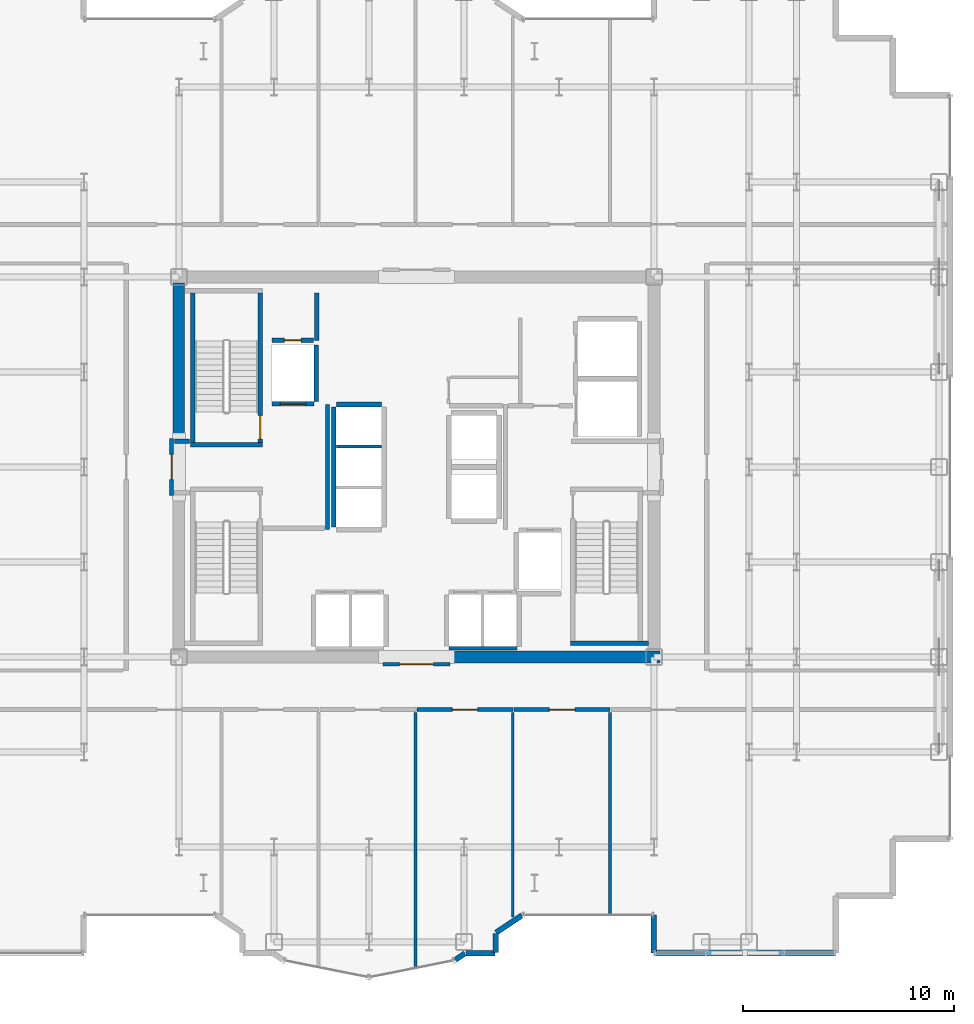
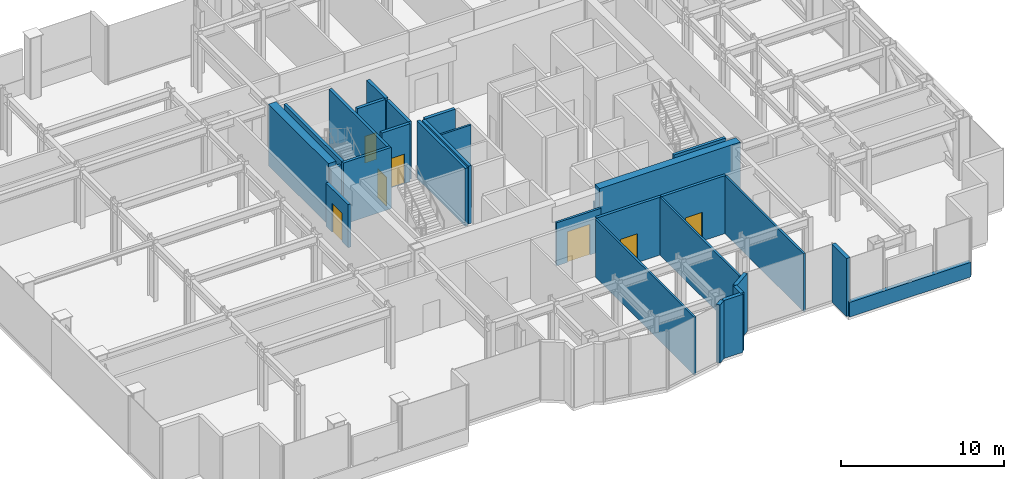
# One storey, part 20 of 26: 29 walls, 7 doors, 7 openings.
"""IFC4 building model written with IfcOpenShell, lengths in metres."""

from ifc_helpers import new_model, si_unit, direction, frame, frame_2d, origin, place, context, subcontext, project, spatial, rectangle, extrude, source, transform, mapped, material, layer, layer_set, type_object, element, fill, save


model = new_model("IFC4")

# Units and contexts
model_context = context("Model", 3, precision=1e-05, world=origin(), true_north=direction((0.0, 1.0)))
body_context = subcontext(model_context, "Body", "Model", "MODEL_VIEW")
ifc_project = project(units=[si_unit("LENGTHUNIT", "METRE"), si_unit("AREAUNIT", "SQUARE_METRE"), si_unit("VOLUMEUNIT", "CUBIC_METRE"), si_unit("PLANEANGLEUNIT", "RADIAN"), si_unit("MASSUNIT", "GRAM", prefix="KILO")], contexts=[model_context])

# Site, building, storey
site_placement = place(None, origin())
site = spatial("IfcSite", under=ifc_project, at=site_placement, CompositionType="ELEMENT")
building_placement = place(site_placement, origin())
building = spatial("IfcBuilding", under=site, at=building_placement, Name="Nefas-Gora Pilgrimage Tower", CompositionType="ELEMENT")
storey_placement = place(building_placement, frame((0.0, 0.0, 202.0)))
storey = spatial("IfcBuildingStorey", under=building, at=storey_placement, Name="L50", CompositionType="ELEMENT", Elevation=202.0)

# Walls
ifc_material_1 = material(Name="Concrete C60/75", Category="concrete")
ifc_layer_1 = layer(ifc_material_1, 0.550048828125)
ifc_layer_set_1 = layer_set([ifc_layer_1], Name="Concrete C60/75")
wall_type_1 = type_object("IfcWallType", Name="SW-CORE-550", PredefinedType="SHEAR", material=ifc_layer_set_1)
shared_shape_1 = source(origin(), body_context, "Body", "SweptSolid", [
    extrude(rectangle(XDim=9.974853515625, YDim=0.550048828125, at=frame_2d((4.9873046875, 0.0))), origin(), (0.0, 0.0, 1.0), 4.60009765625),
])
wall_1_placement = place(storey_placement, frame((1.550048828125, -9.0, 0.0), z_axis=(0.0, 0.0, 1.0), x_axis=(1.0, 0.0, 0.0)))
element("IfcWall", 1, at=wall_1_placement, inside=storey, type_object=wall_type_1, Name="L50 Core Shear Wall S-East", PredefinedType="SHEAR", context=body_context, shape_type="MappedRepresentation", body=[
    mapped(shared_shape_1, transform((0.0, 0.0, 0.0), x_axis=(1.0, 0.0, 0.0), y_axis=(0.0, 1.0, 0.0), z_axis=(0.0, 0.0, 1.0), scale=1.0)),
])
shared_shape_2 = source(origin(), body_context, "Body", "SweptSolid", [
    extrude(rectangle(XDim=7.375, YDim=0.550048828125, at=frame_2d((3.6875, 0.0))), origin(), (0.0, 0.0, 1.0), 4.60009765625),
])
wall_2_placement = place(storey_placement, frame((-11.25, 1.35009765625, 0.0), z_axis=(0.0, 0.0, 1.0), x_axis=(0.0, 1.0, 0.0)))
element("IfcWall", 2, at=wall_2_placement, inside=storey, type_object=wall_type_1, Name="L50 Core Shear Wall W-North", PredefinedType="SHEAR", context=body_context, shape_type="MappedRepresentation", body=[
    mapped(shared_shape_2, transform((0.0, 0.0, 0.0), x_axis=(1.0, 0.0, 0.0), y_axis=(0.0, 1.0, 0.0), z_axis=(0.0, 0.0, 1.0), scale=1.0)),
])
ifc_material_2 = material(Name="Precast concrete C40/50", Category="concrete")
ifc_layer_2 = layer(ifc_material_2, 0.260009765625)
ifc_layer_set_2 = layer_set([ifc_layer_2], Name="Precast concrete C40/50")
wall_type_2 = type_object("IfcWallType", Name="EW-PORTAL-260", PredefinedType="SOLIDWALL", material=ifc_layer_set_2)
shared_shape_3 = source(origin(), body_context, "Body", "SweptSolid", [
    extrude(rectangle(XDim=1.800048828125, YDim=0.260009765625, at=frame_2d((0.89990234375, 0.0))), origin(), (0.0, 0.0, 1.0), 4.35009765625),
])
wall_3_placement = place(storey_placement, frame((11.25, -21.219970703125, 0.0), z_axis=(0.0, 0.0, 1.0), x_axis=(0.0, -1.0, 0.0)))
element("IfcWall", 3, at=wall_3_placement, inside=storey, type_object=wall_type_2, Name="L50 Lobe Shoulder Precast Spandrel Pier 5", PredefinedType="SOLIDWALL", context=body_context, shape_type="MappedRepresentation", body=[
    mapped(shared_shape_3, transform((0.0, 0.0, 0.0), x_axis=(1.0, 0.0, 0.0), y_axis=(0.0, 1.0, 0.0), z_axis=(0.0, 0.0, 1.0), scale=1.0)),
])
shared_shape_4 = source(origin(), body_context, "Body", "SweptSolid", [
    extrude(rectangle(XDim=1.468994140625, YDim=0.260009765625, at=frame_2d((0.734375, 0.0))), origin(), (0.0, 0.0, 1.0), 4.35009765625),
])
wall_4_placement = place(storey_placement, frame((3.773193359375, -22.0517578125, 0.0), z_axis=(0.0, 0.0, 1.0), x_axis=(0.831461760506, 0.555581983884, 0.0)))
element("IfcWall", 4, at=wall_4_placement, inside=storey, type_object=wall_type_2, Name="L50 Lobe Shoulder Precast Spandrel Pier 44", PredefinedType="SOLIDWALL", context=body_context, shape_type="MappedRepresentation", body=[
    mapped(shared_shape_4, transform((0.0, 0.0, 0.0), x_axis=(1.0, 0.0, 0.0), y_axis=(0.0, 1.0, 0.0), z_axis=(0.0, 0.0, 1.0), scale=1.0)),
])
shared_shape_5 = source(origin(), body_context, "Body", "SweptSolid", [
    extrude(rectangle(XDim=0.896728515625, YDim=0.260009765625, at=frame_2d((0.4482421875, 0.0))), origin(), (0.0, 0.0, 1.0), 4.35009765625),
])
wall_5_placement = place(storey_placement, frame((3.75, -22.991943359375, 0.0), z_axis=(0.0, 0.0, 1.0), x_axis=(0.0, 1.0, 0.0)))
element("IfcWall", 5, at=wall_5_placement, inside=storey, type_object=wall_type_2, Name="L50 Lobe Shoulder Precast Spandrel Pier 43", PredefinedType="SOLIDWALL", context=body_context, shape_type="MappedRepresentation", body=[
    mapped(shared_shape_5, transform((0.0, 0.0, 0.0), x_axis=(1.0, 0.0, 0.0), y_axis=(0.0, 1.0, 0.0), z_axis=(0.0, 0.0, 1.0), scale=1.0)),
])
shared_shape_6 = source(origin(), body_context, "Body", "SweptSolid", [
    extrude(rectangle(XDim=1.369873046875, YDim=0.260009765625, at=frame_2d((0.68505859375, 0.0))), origin(), (0.0, 0.0, 1.0), 4.35009765625),
])
wall_6_placement = place(storey_placement, frame((2.35205078125, -23.02001953125, 0.0), z_axis=(0.0, 0.0, 1.0), x_axis=(1.0, 0.0, 0.0)))
element("IfcWall", 6, at=wall_6_placement, inside=storey, type_object=wall_type_2, Name="L50 Lobe Shoulder Precast Spandrel Pier 42", PredefinedType="SOLIDWALL", context=body_context, shape_type="MappedRepresentation", body=[
    mapped(shared_shape_6, transform((0.0, 0.0, 0.0), x_axis=(1.0, 0.0, 0.0), y_axis=(0.0, 1.0, 0.0), z_axis=(0.0, 0.0, 1.0), scale=1.0)),
])
shared_shape_7 = source(origin(), body_context, "Body", "SweptSolid", [
    extrude(rectangle(XDim=0.5654296875, YDim=0.260009765625, at=frame_2d((0.28271484375, 0.0))), origin(), (0.0, 0.0, 1.0), 4.35009765625),
])
wall_7_placement = place(storey_placement, frame((1.83056640625, -23.349609375, 0.0), z_axis=(0.0, 0.0, 1.0), x_axis=(0.831651492666, 0.555297933317, 0.0)))
element("IfcWall", 7, at=wall_7_placement, inside=storey, type_object=wall_type_2, Name="L50 Lobe Shoulder Precast Spandrel Pier 41", PredefinedType="SOLIDWALL", context=body_context, shape_type="MappedRepresentation", body=[
    mapped(shared_shape_7, transform((0.0, 0.0, 0.0), x_axis=(1.0, 0.0, 0.0), y_axis=(0.0, 1.0, 0.0), z_axis=(0.0, 0.0, 1.0), scale=1.0)),
])
ifc_material_3 = material(Name="Precast concrete C45/55", Category="concrete")
ifc_layer_3 = layer(ifc_material_3, 0.280029296875)
ifc_layer_set_3 = layer_set([ifc_layer_3], Name="Precast concrete C45/55")
wall_type_3 = type_object("IfcWallType", Name="EW-PLANT-280", PredefinedType="SOLIDWALL", material=ifc_layer_set_3)
shared_shape_8 = source(origin(), body_context, "Body", "SweptSolid", [
    extrude(rectangle(XDim=8.6201171875, YDim=0.280029296875, at=frame_2d((4.31005859375, 0.0))), origin(), (0.0, 0.0, 1.0), 1.10009765625),
])
wall_8_placement = place(storey_placement, frame((11.25, -23.02001953125, 0.0), z_axis=(0.0, 0.0, 1.0), x_axis=(1.0, 0.0, 0.0)))
element("IfcWall", 8, at=wall_8_placement, inside=storey, type_object=wall_type_3, Name="L50 Plant Upstand Spandrel Wall 6", PredefinedType="SOLIDWALL", context=body_context, shape_type="MappedRepresentation", body=[
    mapped(shared_shape_8, transform((0.0, 0.0, 0.0), x_axis=(1.0, 0.0, 0.0), y_axis=(0.0, 1.0, 0.0), z_axis=(0.0, 0.0, 1.0), scale=1.0)),
])
ifc_material_4 = material(Name="Concrete C45/55", Category="concrete")
ifc_layer_4 = layer(ifc_material_4, 0.199951171875)
ifc_layer_set_4 = layer_set([ifc_layer_4], Name="Concrete C45/55")
wall_type_4 = type_object("IfcWallType", Name="IW-STAIR-200", PredefinedType="SOLIDWALL", material=ifc_layer_set_4)
shared_shape_9 = source(origin(), body_context, "Body", "SweptSolid", [
    extrude(rectangle(XDim=3.39990234375, YDim=0.199951171875, at=frame_2d((1.699951171875, 0.0))), origin(), (0.0, 0.0, 1.0), 4.60009765625),
])
wall_9_placement = place(storey_placement, frame((-7.300048828125, 1.050048828125, 0.0), z_axis=(0.0, 0.0, 1.0), x_axis=(-1.0, 0.0, 0.0)))
element("IfcWall", 9, at=wall_9_placement, inside=storey, type_object=wall_type_4, Name="L50 Stairwell Shear Wall ST-01-near", PredefinedType="SOLIDWALL", context=body_context, shape_type="MappedRepresentation", body=[
    mapped(shared_shape_9, transform((0.0, 0.0, 0.0), x_axis=(1.0, 0.0, 0.0), y_axis=(0.0, 1.0, 0.0), z_axis=(0.0, 0.0, 1.0), scale=1.0)),
])

# Wall, opening, door
shared_shape_10 = source(origin(), body_context, "Body", "SweptSolid", [
    extrude(rectangle(XDim=7.10009765625, YDim=0.199951171875, at=frame_2d((3.550048828125, 0.0))), origin(), (0.0, 0.0, 1.0), 4.60009765625),
])
wall_10_placement = place(storey_placement, frame((-7.39990234375, 1.14990234375, 0.0), z_axis=(0.0, 0.0, 1.0), x_axis=(0.0, 1.0, 0.0)))
wall_10 = element("IfcWall", 10, at=wall_10_placement, inside=storey, type_object=wall_type_4, Name="L50 Stairwell Shear Wall ST-01-left", PredefinedType="SOLIDWALL", context=body_context, shape_type="MappedRepresentation", body=[
    mapped(shared_shape_10, transform((0.0, 0.0, 0.0), x_axis=(1.0, 0.0, 0.0), y_axis=(0.0, 1.0, 0.0), z_axis=(0.0, 0.0, 1.0), scale=1.0)),
])
opening_1_placement = place(wall_10_placement, frame((0.179931640625, 0.0, 0.0)))
opening_1 = element("IfcOpeningElement", 11, at=opening_1_placement, cuts=wall_10, Name="Opening ID-ST1", PredefinedType="OPENING", context=body_context, shape_type="SweptSolid", body=[
    extrude(rectangle(XDim=1.10009765625, YDim=2.14990234375, at=frame_2d((0.550048828125, 1.074951171875))), frame((0.0, 0.10986328125, 0.0), z_axis=(0.0, -1.0, 0.0), x_axis=(1.0, 0.0, 0.0)), (0.0, 0.0, 1.0), 0.219970703125),
])
ifc_material_5 = material(Name="Painted galvanised steel fire stair door", Category="steel")
door_type_1 = type_object("IfcDoorType", Name="DR-INT-STAIR-1100", OperationType="NOTDEFINED", PredefinedType="DOOR", material=ifc_material_5)
shared_shape_11 = source(origin(), body_context, "Body", "SweptSolid", [
    extrude(rectangle(XDim=1.10009765625, YDim=2.14990234375, at=frame_2d((0.550048828125, 1.074951171875))), frame((0.0, 0.02490234375, 0.0), z_axis=(0.0, -1.0, 0.0), x_axis=(1.0, 0.0, 0.0)), (0.0, 0.0, 1.0), 0.050048828125),
])
door_1_placement = place(opening_1_placement, origin())
door_1 = element("IfcDoor", 12, at=door_1_placement, inside=storey, type_object=door_type_1, Name="L50 Protected Exit Stair Door ST-01", OperationType="SINGLE_SWING_RIGHT", OverallHeight=2.14990234375, OverallWidth=1.10009765625, PredefinedType="DOOR", context=body_context, shape_type="MappedRepresentation", body=[
    mapped(shared_shape_11, transform((0.0, 0.0, 0.0), x_axis=(1.0, 0.0, 0.0), y_axis=(0.0, 1.0, 0.0), z_axis=(0.0, 0.0, 1.0), scale=1.0)),
])
fill(opening_1, door_1)

# Walls
wall_11_placement = place(storey_placement, frame((-10.60009765625, 1.14990234375, 0.0), z_axis=(0.0, 0.0, 1.0), x_axis=(0.0, 1.0, 0.0)))
element("IfcWall", 13, at=wall_11_placement, inside=storey, type_object=wall_type_4, Name="L50 Stairwell Shear Wall ST-01-right", PredefinedType="SOLIDWALL", context=body_context, shape_type="MappedRepresentation", body=[
    mapped(shared_shape_10, transform((0.0, 0.0, 0.0), x_axis=(1.0, 0.0, 0.0), y_axis=(0.0, 1.0, 0.0), z_axis=(0.0, 0.0, 1.0), scale=1.0)),
])
shared_shape_12 = source(origin(), body_context, "Body", "SweptSolid", [
    extrude(rectangle(XDim=3.679931640625, YDim=0.199951171875, at=frame_2d((1.83984375, 0.0))), origin(), (0.0, 0.0, 1.0), 4.60009765625),
])
wall_12_placement = place(storey_placement, frame((7.300048828125, -8.35009765625, 0.0), z_axis=(0.0, 0.0, 1.0), x_axis=(1.0, 0.0, 0.0)))
element("IfcWall", 14, at=wall_12_placement, inside=storey, type_object=wall_type_4, Name="L50 Stairwell Shear Wall ST-02-far", PredefinedType="SOLIDWALL", context=body_context, shape_type="MappedRepresentation", body=[
    mapped(shared_shape_12, transform((0.0, 0.0, 0.0), x_axis=(1.0, 0.0, 0.0), y_axis=(0.0, 1.0, 0.0), z_axis=(0.0, 0.0, 1.0), scale=1.0)),
])

# Wall, opening, door
ifc_material_6 = material(Name="Concrete C40/50", Category="concrete")
ifc_layer_5 = layer(ifc_material_6, 0.219970703125)
ifc_layer_set_5 = layer_set([ifc_layer_5], Name="Concrete C40/50")
wall_type_5 = type_object("IfcWallType", Name="IW-SHAFT-220", PredefinedType="SOLIDWALL", material=ifc_layer_set_5)
shared_shape_13 = source(origin(), body_context, "Body", "SweptSolid", [
    extrude(rectangle(XDim=2.0, YDim=0.219970703125, at=frame_2d((1.0, 0.0))), origin(), (0.0, 0.0, 1.0), 4.3349609375),
])
wall_13_placement = place(storey_placement, frame((-6.85009765625, 2.989990234375, 0.0), z_axis=(0.0, 0.0, 1.0), x_axis=(1.0, 0.0, 0.0)))
wall_13 = element("IfcWall", 15, at=wall_13_placement, inside=storey, type_object=wall_type_5, Name="L50 Hoistway Wall FFL-01-S", PredefinedType="SOLIDWALL", context=body_context, shape_type="MappedRepresentation", body=[
    mapped(shared_shape_13, transform((0.0, 0.0, 0.0), x_axis=(1.0, 0.0, 0.0), y_axis=(0.0, 1.0, 0.0), z_axis=(0.0, 0.0, 1.0), scale=1.0)),
])
opening_2_placement = place(wall_13_placement, frame((0.39990234375, 0.0, 0.0)))
opening_2 = element("IfcOpeningElement", 16, at=opening_2_placement, cuts=wall_13, Name="Opening LD-FF", PredefinedType="OPENING", context=body_context, shape_type="SweptSolid", body=[
    extrude(rectangle(XDim=1.199951171875, YDim=2.199951171875, at=frame_2d((0.60009765625, 1.10009765625))), frame((0.0, 0.119873046875, 0.0), z_axis=(0.0, -1.0, 0.0), x_axis=(1.0, 0.0, 0.0)), (0.0, 0.0, 1.0), 0.239990234375),
])
ifc_material_7 = material(Name="Fire-service sliding lift landing door")
door_type_2 = type_object("IfcDoorType", Name="DR-LIFT-FSAE-1200", OperationType="SLIDING_TO_LEFT", PredefinedType="DOOR", material=ifc_material_7)
shared_shape_14 = source(origin(), body_context, "Body", "SweptSolid", [
    extrude(rectangle(XDim=1.199951171875, YDim=2.199951171875, at=frame_2d((0.60009765625, 1.10009765625))), frame((0.0, 0.02490234375, 0.0), z_axis=(0.0, -1.0, 0.0), x_axis=(1.0, 0.0, 0.0)), (0.0, 0.0, 1.0), 0.050048828125),
])
door_2_placement = place(opening_2_placement, origin())
door_2 = element("IfcDoor", 17, at=door_2_placement, inside=storey, type_object=door_type_2, Name="L50 Sliding Lift Landing Door FFL-01", OperationType="SLIDING_TO_LEFT", OverallHeight=2.199951171875, OverallWidth=1.199951171875, PredefinedType="DOOR", context=body_context, shape_type="MappedRepresentation", body=[
    mapped(shared_shape_14, transform((0.0, 0.0, 0.0), x_axis=(1.0, 0.0, 0.0), y_axis=(0.0, 1.0, 0.0), z_axis=(0.0, 0.0, 1.0), scale=1.0)),
])
fill(opening_2, door_2)

# Walls
shared_shape_15 = source(origin(), body_context, "Body", "SweptSolid", [
    extrude(rectangle(XDim=2.679931640625, YDim=0.219970703125, at=frame_2d((1.33984375, 0.0))), origin(), (0.0, 0.0, 1.0), 4.3349609375),
])
wall_14_placement = place(storey_placement, frame((-4.739990234375, 3.110107421875, 0.0), z_axis=(0.0, 0.0, 1.0), x_axis=(0.0, 1.0, 0.0)))
element("IfcWall", 18, at=wall_14_placement, inside=storey, type_object=wall_type_5, Name="L50 Hoistway Wall FFL-01-E", PredefinedType="SOLIDWALL", context=body_context, shape_type="MappedRepresentation", body=[
    mapped(shared_shape_15, transform((0.0, 0.0, 0.0), x_axis=(1.0, 0.0, 0.0), y_axis=(0.0, 1.0, 0.0), z_axis=(0.0, 0.0, 1.0), scale=1.0)),
])
ifc_material_8 = material(Name="Gypsum acoustic stud partition")
ifc_layer_6 = layer(ifc_material_8, 0.159912109375)
ifc_layer_set_6 = layer_set([ifc_layer_6], Name="Gypsum acoustic stud partition")
wall_type_6 = type_object("IfcWallType", Name="IW-CORR-160", PredefinedType="PARTITIONING", material=ifc_layer_set_6)
shared_shape_16 = source(origin(), body_context, "Body", "SweptSolid", [
    extrude(rectangle(XDim=3.199951171875, YDim=0.159912109375, at=frame_2d((1.60009765625, 0.0))), origin(), (0.0, 0.0, 1.0), 3.22509765625),
])
wall_15_placement = place(storey_placement, frame((1.550048828125, -8.580078125, 0.0), z_axis=(0.0, 0.0, 1.0), x_axis=(1.0, 0.0, 0.0)))
element("IfcWall", 19, at=wall_15_placement, inside=storey, type_object=wall_type_6, Name="L50 Hoistway Wall PL2-E-S", PredefinedType="PARTITIONING", context=body_context, shape_type="MappedRepresentation", body=[
    mapped(shared_shape_16, transform((0.0, 0.0, 0.0), x_axis=(1.0, 0.0, 0.0), y_axis=(0.0, 1.0, 0.0), z_axis=(0.0, 0.0, 1.0), scale=1.0)),
])
shared_shape_17 = source(origin(), body_context, "Body", "SweptSolid", [
    extrude(rectangle(XDim=5.7001953125, YDim=0.219970703125, at=frame_2d((2.85009765625, 0.0))), origin(), (0.0, 0.0, 1.0), 4.3349609375),
])
wall_16_placement = place(storey_placement, frame((-3.909912109375, 2.85009765625, 0.0), z_axis=(0.0, 0.0, 1.0), x_axis=(0.0, -1.0, 0.0)))
element("IfcWall", 20, at=wall_16_placement, inside=storey, type_object=wall_type_5, Name="L50 Hoistway Wall PL3-01-03-W", PredefinedType="SOLIDWALL", context=body_context, shape_type="MappedRepresentation", body=[
    mapped(shared_shape_17, transform((0.0, 0.0, 0.0), x_axis=(1.0, 0.0, 0.0), y_axis=(0.0, 1.0, 0.0), z_axis=(0.0, 0.0, 1.0), scale=1.0)),
])
shared_shape_18 = source(origin(), body_context, "Body", "SweptSolid", [
    extrude(rectangle(XDim=2.130126953125, YDim=0.219970703125, at=frame_2d((1.06494140625, 0.0))), origin(), (0.0, 0.0, 1.0), 4.3349609375),
])
wall_17_placement = place(storey_placement, frame((-1.659912109375, 2.9599609375, 0.0), z_axis=(0.0, 0.0, 1.0), x_axis=(-1.0, 0.0, 0.0)))
element("IfcWall", 21, at=wall_17_placement, inside=storey, type_object=wall_type_5, Name="L50 Hoistway Wall PL3-03-N", PredefinedType="SOLIDWALL", context=body_context, shape_type="MappedRepresentation", body=[
    mapped(shared_shape_18, transform((0.0, 0.0, 0.0), x_axis=(1.0, 0.0, 0.0), y_axis=(0.0, 1.0, 0.0), z_axis=(0.0, 0.0, 1.0), scale=1.0)),
])
ifc_material_9 = material(Name="Gypsum twin-stud partition")
ifc_layer_7 = layer(ifc_material_9, 0.139892578125)
ifc_layer_set_7 = layer_set([ifc_layer_7], Name="Gypsum twin-stud partition")
wall_type_7 = type_object("IfcWallType", Name="IW-UNIT-140", PredefinedType="PARTITIONING", material=ifc_layer_set_7)
shared_shape_19 = source(origin(), body_context, "Body", "SweptSolid", [
    extrude(rectangle(XDim=2.130126953125, YDim=0.139892578125, at=frame_2d((1.06494140625, 0.0))), origin(), (0.0, 0.0, 1.0), 4.3349609375),
])
wall_18_placement = place(storey_placement, frame((-3.7900390625, 0.97509765625, 0.0), z_axis=(0.0, 0.0, 1.0), x_axis=(1.0, 0.0, 0.0)))
element("IfcWall", 22, at=wall_18_placement, inside=storey, type_object=wall_type_7, Name="L50 Hoistway Wall PL3-02-03-DIV", PredefinedType="PARTITIONING", context=body_context, shape_type="MappedRepresentation", body=[
    mapped(shared_shape_19, transform((0.0, 0.0, 0.0), x_axis=(1.0, 0.0, 0.0), y_axis=(0.0, 1.0, 0.0), z_axis=(0.0, 0.0, 1.0), scale=1.0)),
])

# Wall, opening, door
ifc_material_10 = material(Name="Gypsum fire-rated shaftwall")
ifc_layer_8 = layer(ifc_material_10, 0.199951171875)
ifc_layer_set_8 = layer_set([ifc_layer_8], Name="Gypsum fire-rated shaftwall")
wall_type_8 = type_object("IfcWallType", Name="IW-FFLOB-200", PredefinedType="PARTITIONING", material=ifc_layer_set_8)
shared_shape_20 = source(origin(), body_context, "Body", "SweptSolid", [
    extrude(rectangle(XDim=2.7001953125, YDim=0.199951171875, at=frame_2d((1.35009765625, 0.0))), origin(), (0.0, 0.0, 1.0), 3.22509765625),
])
wall_19_placement = place(storey_placement, frame((-11.60009765625, -1.35009765625, 0.0), z_axis=(0.0, 0.0, 1.0), x_axis=(0.0, 1.0, 0.0)))
wall_19 = element("IfcWall", 23, at=wall_19_placement, inside=storey, type_object=wall_type_8, Name="L50 FF Lobby West Portal Wall 4", PredefinedType="PARTITIONING", context=body_context, shape_type="MappedRepresentation", body=[
    mapped(shared_shape_20, transform((0.0, 0.0, 0.0), x_axis=(1.0, 0.0, 0.0), y_axis=(0.0, 1.0, 0.0), z_axis=(0.0, 0.0, 1.0), scale=1.0)),
])
opening_3_placement = place(wall_19_placement, frame((0.75, 0.0, 0.0)))
opening_3 = element("IfcOpeningElement", 24, at=opening_3_placement, cuts=wall_19, Name="Opening ID-FF1", PredefinedType="OPENING", context=body_context, shape_type="SweptSolid", body=[
    extrude(rectangle(XDim=1.199951171875, YDim=2.14990234375, at=frame_2d((0.60009765625, 1.074951171875))), frame((0.0, 0.10986328125, 0.0), z_axis=(0.0, -1.0, 0.0), x_axis=(1.0, 0.0, 0.0)), (0.0, 0.0, 1.0), 0.219970703125),
])
ifc_material_11 = material(Name="Smoke-sealed steel firefighting lobby door", Category="steel")
door_type_3 = type_object("IfcDoorType", Name="DR-INT-FFLOB-1200", OperationType="NOTDEFINED", PredefinedType="DOOR", material=ifc_material_11)
shared_shape_21 = source(origin(), body_context, "Body", "SweptSolid", [
    extrude(rectangle(XDim=1.199951171875, YDim=2.14990234375, at=frame_2d((0.60009765625, 1.074951171875))), frame((0.0, 0.02490234375, 0.0), z_axis=(0.0, -1.0, 0.0), x_axis=(1.0, 0.0, 0.0)), (0.0, 0.0, 1.0), 0.050048828125),
])
door_3_placement = place(opening_3_placement, origin())
door_3 = element("IfcDoor", 25, at=door_3_placement, inside=storey, type_object=door_type_3, Name="L50 FF Lobby West Portal Door 2", OperationType="SINGLE_SWING_LEFT", OverallHeight=2.14990234375, OverallWidth=1.199951171875, PredefinedType="DOOR", context=body_context, shape_type="MappedRepresentation", body=[
    mapped(shared_shape_21, transform((0.0, 0.0, 0.0), x_axis=(1.0, 0.0, 0.0), y_axis=(0.0, 1.0, 0.0), z_axis=(0.0, 0.0, 1.0), scale=1.0)),
])
fill(opening_3, door_3)

# Walls
shared_shape_22 = source(origin(), body_context, "Body", "SweptSolid", [
    extrude(rectangle(XDim=5.89990234375, YDim=0.199951171875, at=frame_2d((2.949951171875, 0.0))), origin(), (0.0, 0.0, 1.0), 4.3349609375),
])
wall_20_placement = place(storey_placement, frame((-4.219970703125, -2.949951171875, 0.0), z_axis=(0.0, 0.0, 1.0), x_axis=(0.0, 1.0, 0.0)))
element("IfcWall", 26, at=wall_20_placement, inside=storey, type_object=wall_type_8, Name="L50 FF Lobby West Inner Wall Wall 5", PredefinedType="PARTITIONING", context=body_context, shape_type="MappedRepresentation", body=[
    mapped(shared_shape_22, transform((0.0, 0.0, 0.0), x_axis=(1.0, 0.0, 0.0), y_axis=(0.0, 1.0, 0.0), z_axis=(0.0, 0.0, 1.0), scale=1.0)),
])
shared_shape_23 = source(origin(), body_context, "Body", "SweptSolid", [
    extrude(rectangle(XDim=0.719970703125, YDim=0.199951171875, at=frame_2d((0.35986328125, 0.0))), origin(), (0.0, 0.0, 1.0), 4.3349609375),
])
wall_21_placement = place(storey_placement, frame((-11.4599609375, 1.219970703125, 0.0), z_axis=(0.0, 0.0, 1.0), x_axis=(1.0, 0.0, 0.0)))
element("IfcWall", 27, at=wall_21_placement, inside=storey, type_object=wall_type_8, Name="L50 FF Lobby West Throat N Wall 7", PredefinedType="PARTITIONING", context=body_context, shape_type="MappedRepresentation", body=[
    mapped(shared_shape_23, transform((0.0, 0.0, 0.0), x_axis=(1.0, 0.0, 0.0), y_axis=(0.0, 1.0, 0.0), z_axis=(0.0, 0.0, 1.0), scale=1.0)),
])

# Wall, opening, door
ifc_layer_9 = layer(ifc_material_6, 0.199951171875)
ifc_layer_set_9 = layer_set([ifc_layer_9], Name="Concrete C40/50")
wall_type_9 = type_object("IfcWallType", Name="IW-PLANT-200", PredefinedType="SOLIDWALL", material=ifc_layer_set_9)
shared_shape_24 = source(origin(), body_context, "Body", "SweptSolid", [
    extrude(rectangle(XDim=4.5400390625, YDim=0.199951171875, at=frame_2d((2.27001953125, 0.0))), origin(), (0.0, 0.0, 1.0), 4.3349609375),
])
wall_22_placement = place(storey_placement, frame((0.030029296875, -11.489990234375, 0.0), z_axis=(0.0, 0.0, 1.0), x_axis=(1.0, 0.0, 0.0)))
wall_22 = element("IfcWall", 28, at=wall_22_placement, inside=storey, type_object=wall_type_9, Name="L50 Domestic and Fire Reserve Water Tank Plant Room Partition Wall 43", PredefinedType="SOLIDWALL", context=body_context, shape_type="MappedRepresentation", body=[
    mapped(shared_shape_24, transform((0.0, 0.0, 0.0), x_axis=(1.0, 0.0, 0.0), y_axis=(0.0, 1.0, 0.0), z_axis=(0.0, 0.0, 1.0), scale=1.0)),
])
opening_4_placement = place(wall_22_placement, frame((1.669921875, 0.0, 0.0)))
opening_4 = element("IfcOpeningElement", 29, at=opening_4_placement, cuts=wall_22, Name="Opening ID-PL1", PredefinedType="OPENING", context=body_context, shape_type="SweptSolid", body=[
    extrude(rectangle(XDim=1.199951171875, YDim=2.14990234375, at=frame_2d((0.60009765625, 1.074951171875))), frame((0.0, 0.10986328125, 0.0), z_axis=(0.0, -1.0, 0.0), x_axis=(1.0, 0.0, 0.0)), (0.0, 0.0, 1.0), 0.219970703125),
])
ifc_material_12 = material(Name="Heavy-duty steel plant room fire door", Category="steel")
door_type_4 = type_object("IfcDoorType", Name="DR-INT-PLANT-1200", OperationType="NOTDEFINED", PredefinedType="DOOR", material=ifc_material_12)
door_4_placement = place(opening_4_placement, origin())
door_4 = element("IfcDoor", 30, at=door_4_placement, inside=storey, type_object=door_type_4, Name="L50 Domestic and Fire Reserve Water Tank Plant Room Door 19", OperationType="SINGLE_SWING_RIGHT", OverallHeight=2.14990234375, OverallWidth=1.199951171875, PredefinedType="DOOR", context=body_context, shape_type="MappedRepresentation", body=[
    mapped(shared_shape_21, transform((0.0, 0.0, 0.0), x_axis=(1.0, 0.0, 0.0), y_axis=(0.0, 1.0, 0.0), z_axis=(0.0, 0.0, 1.0), scale=1.0)),
])
fill(opening_4, door_4)

wall_23_placement = place(storey_placement, frame((4.6298828125, -11.489990234375, 0.0), z_axis=(0.0, 0.0, 1.0), x_axis=(1.0, 0.0, 0.0)))
wall_23 = element("IfcWall", 31, at=wall_23_placement, inside=storey, type_object=wall_type_9, Name="L50 Emergency Life-Safety UPS Plant Room Partition Wall 45", PredefinedType="SOLIDWALL", context=body_context, shape_type="MappedRepresentation", body=[
    mapped(shared_shape_24, transform((0.0, 0.0, 0.0), x_axis=(1.0, 0.0, 0.0), y_axis=(0.0, 1.0, 0.0), z_axis=(0.0, 0.0, 1.0), scale=1.0)),
])
opening_5_placement = place(wall_23_placement, frame((1.669921875, 0.0, 0.0)))
opening_5 = element("IfcOpeningElement", 32, at=opening_5_placement, cuts=wall_23, Name="Opening ID-PL1", PredefinedType="OPENING", context=body_context, shape_type="SweptSolid", body=[
    extrude(rectangle(XDim=1.199951171875, YDim=2.14990234375, at=frame_2d((0.60009765625, 1.074951171875))), frame((0.0, 0.10986328125, 0.0), z_axis=(0.0, -1.0, 0.0), x_axis=(1.0, 0.0, 0.0)), (0.0, 0.0, 1.0), 0.219970703125),
])
door_5_placement = place(opening_5_placement, origin())
door_5 = element("IfcDoor", 33, at=door_5_placement, inside=storey, type_object=door_type_4, Name="L50 Emergency Life-Safety UPS Plant Room Door 20", OperationType="SINGLE_SWING_LEFT", OverallHeight=2.14990234375, OverallWidth=1.199951171875, PredefinedType="DOOR", context=body_context, shape_type="MappedRepresentation", body=[
    mapped(shared_shape_21, transform((0.0, 0.0, 0.0), x_axis=(1.0, 0.0, 0.0), y_axis=(0.0, 1.0, 0.0), z_axis=(0.0, 0.0, 1.0), scale=1.0)),
])
fill(opening_5, door_5)

# Walls
shared_shape_25 = source(origin(), body_context, "Body", "SweptSolid", [
    extrude(rectangle(XDim=12.123291015625, YDim=0.139892578125, at=frame_2d((6.0615234375, 0.0))), origin(), (0.0, 0.0, 1.0), 4.3349609375),
])
wall_24_placement = place(storey_placement, frame((-0.0400390625, -23.753173828125, 0.0), z_axis=(0.0, 0.0, 1.0), x_axis=(0.0, 1.0, 0.0)))
element("IfcWall", 34, at=wall_24_placement, inside=storey, type_object=wall_type_7, Name="L50 Domestic Cold Water Booster Plant Room Partition Wall 42", PredefinedType="PARTITIONING", context=body_context, shape_type="MappedRepresentation", body=[
    mapped(shared_shape_25, transform((0.0, 0.0, 0.0), x_axis=(1.0, 0.0, 0.0), y_axis=(0.0, 1.0, 0.0), z_axis=(0.0, 0.0, 1.0), scale=1.0)),
])
shared_shape_26 = source(origin(), body_context, "Body", "SweptSolid", [
    extrude(rectangle(XDim=9.694091796875, YDim=0.139892578125, at=frame_2d((4.84716796875, 0.0))), origin(), (0.0, 0.0, 1.0), 4.3349609375),
])
wall_25_placement = place(storey_placement, frame((4.56005859375, -21.323974609375, 0.0), z_axis=(0.0, 0.0, 1.0), x_axis=(0.0, 1.0, 0.0)))
element("IfcWall", 35, at=wall_25_placement, inside=storey, type_object=wall_type_7, Name="L50 Domestic and Fire Reserve Water Tank Plant Room Partition Wall 44", PredefinedType="PARTITIONING", context=body_context, shape_type="MappedRepresentation", body=[
    mapped(shared_shape_26, transform((0.0, 0.0, 0.0), x_axis=(1.0, 0.0, 0.0), y_axis=(0.0, 1.0, 0.0), z_axis=(0.0, 0.0, 1.0), scale=1.0)),
])
shared_shape_27 = source(origin(), body_context, "Body", "SweptSolid", [
    extrude(rectangle(XDim=9.610107421875, YDim=0.139892578125, at=frame_2d((4.80517578125, 0.0))), origin(), (0.0, 0.0, 1.0), 4.3349609375),
])
wall_26_placement = place(storey_placement, frame((9.159912109375, -21.239990234375, 0.0), z_axis=(0.0, 0.0, 1.0), x_axis=(0.0, 1.0, 0.0)))
element("IfcWall", 36, at=wall_26_placement, inside=storey, type_object=wall_type_7, Name="L50 Emergency Life-Safety UPS Plant Room Partition Wall 46", PredefinedType="PARTITIONING", context=body_context, shape_type="MappedRepresentation", body=[
    mapped(shared_shape_27, transform((0.0, 0.0, 0.0), x_axis=(1.0, 0.0, 0.0), y_axis=(0.0, 1.0, 0.0), z_axis=(0.0, 0.0, 1.0), scale=1.0)),
])
shared_shape_28 = source(origin(), body_context, "Body", "SweptSolid", [
    extrude(rectangle(XDim=2.25, YDim=0.219970703125, at=frame_2d((1.125, 0.0))), origin(), (0.0, 0.0, 1.0), 4.3349609375),
])
wall_27_placement = place(storey_placement, frame((-4.719970703125, 6.0, 0.0), z_axis=(0.0, 0.0, 1.0), x_axis=(0.0, 1.0, 0.0)))
element("IfcWall", 37, at=wall_27_placement, inside=storey, type_object=wall_type_5, Name="L50 Riser Shaft Wall 1", PredefinedType="SOLIDWALL", context=body_context, shape_type="MappedRepresentation", body=[
    mapped(shared_shape_28, transform((0.0, 0.0, 0.0), x_axis=(1.0, 0.0, 0.0), y_axis=(0.0, 1.0, 0.0), z_axis=(0.0, 0.0, 1.0), scale=1.0)),
])

# Wall, opening, door
shared_shape_29 = source(origin(), body_context, "Body", "SweptSolid", [
    extrude(rectangle(XDim=1.97998046875, YDim=0.219970703125, at=frame_2d((0.989990234375, 0.0))), origin(), (0.0, 0.0, 1.0), 4.3349609375),
])
wall_28_placement = place(storey_placement, frame((-6.85009765625, 6.0, 0.0), z_axis=(0.0, 0.0, 1.0), x_axis=(1.0, 0.0, 0.0)))
wall_28 = element("IfcWall", 38, at=wall_28_placement, inside=storey, type_object=wall_type_5, Name="L50 Riser Shaft Wall 2", PredefinedType="SOLIDWALL", context=body_context, shape_type="MappedRepresentation", body=[
    mapped(shared_shape_29, transform((0.0, 0.0, 0.0), x_axis=(1.0, 0.0, 0.0), y_axis=(0.0, 1.0, 0.0), z_axis=(0.0, 0.0, 1.0), scale=1.0)),
])
opening_6_placement = place(wall_28_placement, frame((0.590087890625, 0.0, 0.0)))
opening_6 = element("IfcOpeningElement", 39, at=opening_6_placement, cuts=wall_28, Name="Opening ID-TR1", PredefinedType="OPENING", context=body_context, shape_type="SweptSolid", body=[
    extrude(rectangle(XDim=0.800048828125, YDim=2.0, at=frame_2d((0.39990234375, 1.0))), frame((0.0, 0.119873046875, 0.0), z_axis=(0.0, -1.0, 0.0), x_axis=(1.0, 0.0, 0.0)), (0.0, 0.0, 1.0), 0.239990234375),
])
ifc_material_13 = material(Name="Riser maintenance fire access door")
door_type_5 = type_object("IfcDoorType", Name="DR-INT-TRAP-800", OperationType="NOTDEFINED", PredefinedType="TRAPDOOR", material=ifc_material_13)
shared_shape_30 = source(origin(), body_context, "Body", "SweptSolid", [
    extrude(rectangle(XDim=0.800048828125, YDim=2.0, at=frame_2d((0.39990234375, 1.0))), frame((0.0, 0.02490234375, 0.0), z_axis=(0.0, -1.0, 0.0), x_axis=(1.0, 0.0, 0.0)), (0.0, 0.0, 1.0), 0.050048828125),
])
door_6_placement = place(opening_6_placement, origin())
door_6 = element("IfcDoor", 40, at=door_6_placement, inside=storey, type_object=door_type_5, Name="L50 Riser Shaft Door 1", OperationType="SINGLE_SWING_RIGHT", OverallHeight=2.0, OverallWidth=0.800048828125, PredefinedType="TRAPDOOR", context=body_context, shape_type="MappedRepresentation", body=[
    mapped(shared_shape_30, transform((0.0, 0.0, 0.0), x_axis=(1.0, 0.0, 0.0), y_axis=(0.0, 1.0, 0.0), z_axis=(0.0, 0.0, 1.0), scale=1.0)),
])
fill(opening_6, door_6)

shared_shape_31 = source(origin(), body_context, "Body", "SweptSolid", [
    extrude(rectangle(XDim=3.16015625, YDim=0.159912109375, at=frame_2d((1.580078125, 0.0))), origin(), (0.0, 0.0, 1.0), 3.22509765625),
])
wall_29_placement = place(storey_placement, frame((-1.580078125, -9.35009765625, 0.0), z_axis=(0.0, 0.0, 1.0), x_axis=(1.0, 0.0, 0.0)))
wall_29 = element("IfcWall", 41, at=wall_29_placement, inside=storey, type_object=wall_type_6, Name="L50 Central Lift Lobby South Portal Wall 16", PredefinedType="PARTITIONING", context=body_context, shape_type="MappedRepresentation", body=[
    mapped(shared_shape_31, transform((0.0, 0.0, 0.0), x_axis=(1.0, 0.0, 0.0), y_axis=(0.0, 1.0, 0.0), z_axis=(0.0, 0.0, 1.0), scale=1.0)),
])
opening_7_placement = place(wall_29_placement, frame((0.780029296875, 0.0, 0.0)))
opening_7 = element("IfcOpeningElement", 42, at=opening_7_placement, cuts=wall_29, Name="Opening ID-HL1", PredefinedType="OPENING", context=body_context, shape_type="SweptSolid", body=[
    extrude(rectangle(XDim=1.60009765625, YDim=2.300048828125, at=frame_2d((0.800048828125, 1.14990234375))), frame((0.0, 0.08984375, 0.0), z_axis=(0.0, -1.0, 0.0), x_axis=(1.0, 0.0, 0.0)), (0.0, 0.0, 1.0), 0.179931640625),
])
ifc_material_14 = material(Name="Double acoustic timber assembly hall door", Category="wood")
door_type_6 = type_object("IfcDoorType", Name="DR-INT-HALL-1600", OperationType="DOUBLE_DOOR_SINGLE_SWING", PredefinedType="DOOR", material=ifc_material_14)
shared_shape_32 = source(origin(), body_context, "Body", "SweptSolid", [
    extrude(rectangle(XDim=1.60009765625, YDim=2.300048828125, at=frame_2d((0.800048828125, 1.14990234375))), frame((0.0, 0.02490234375, 0.0), z_axis=(0.0, -1.0, 0.0), x_axis=(1.0, 0.0, 0.0)), (0.0, 0.0, 1.0), 0.050048828125),
])
door_7_placement = place(opening_7_placement, origin())
door_7 = element("IfcDoor", 43, at=door_7_placement, inside=storey, type_object=door_type_6, Name="L50 Central Lift Lobby South Portal Door 6", OperationType="DOUBLE_DOOR_SINGLE_SWING", OverallHeight=2.300048828125, OverallWidth=1.60009765625, PredefinedType="DOOR", context=body_context, shape_type="MappedRepresentation", body=[
    mapped(shared_shape_32, transform((0.0, 0.0, 0.0), x_axis=(1.0, 0.0, 0.0), y_axis=(0.0, 1.0, 0.0), z_axis=(0.0, 0.0, 1.0), scale=1.0)),
])
fill(opening_7, door_7)

save(model, "model.ifc")
